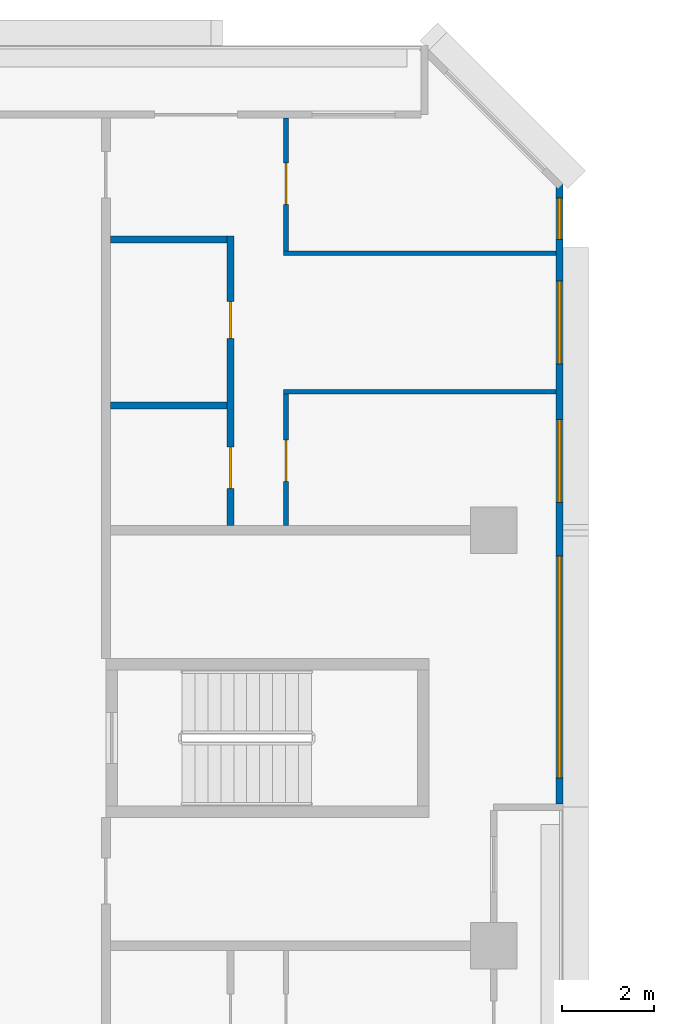
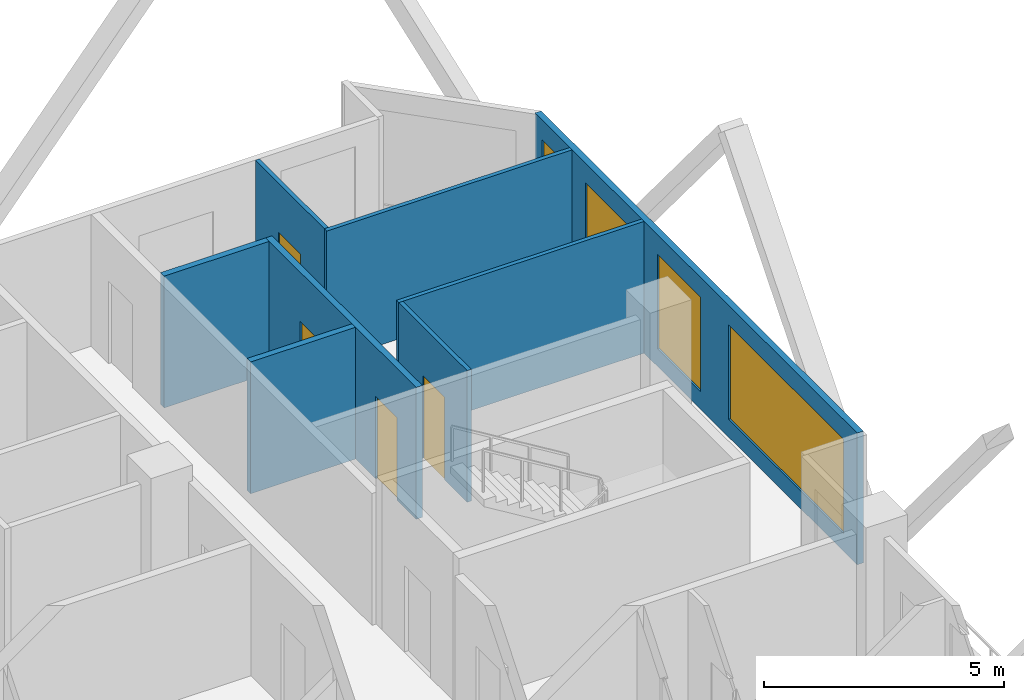
# One storey, part 11 of 15: 8 walls, 4 doors, 4 windows, 8 openings.
"""IFC4 building model written with IfcOpenShell, lengths in metres."""

from ifc_helpers import new_model, si_unit, direction, frame, frame_2d, origin, place, context, subcontext, project, spatial, rectangle, extrude, material, layer, layer_set, type_object, element, fill, save


model = new_model("IFC4")

# Units and contexts
model_context = context("Model", 3, precision=1e-05, world=origin(), true_north=direction((0.0, 1.0)))
body_context = subcontext(model_context, "Body", "Model", "MODEL_VIEW")
ifc_project = project(units=[si_unit("LENGTHUNIT", "METRE"), si_unit("AREAUNIT", "SQUARE_METRE"), si_unit("VOLUMEUNIT", "CUBIC_METRE"), si_unit("PLANEANGLEUNIT", "RADIAN"), si_unit("MASSUNIT", "GRAM", prefix="KILO")], contexts=[model_context])

# Site, building, storey
site_placement = place(None, origin())
site = spatial("IfcSite", under=ifc_project, at=site_placement, CompositionType="ELEMENT")
building_placement = place(site_placement, origin())
building = spatial("IfcBuilding", under=site, at=building_placement, Name="Chenar Terraces", CompositionType="ELEMENT")
storey_placement = place(building_placement, frame((0.0, 0.0, 114.39990234375)))
storey = spatial("IfcBuildingStorey", under=building, at=storey_placement, Name="L26", CompositionType="ELEMENT", Elevation=114.39990234375)

# Wall, openings, windows
ifc_material_1 = material(Name="Aluminium framed glazing", Category="aluminium")
ifc_layer_1 = layer(ifc_material_1, 0.14990234375)
ifc_layer_set_1 = layer_set([ifc_layer_1], Name="Aluminium framed glazing")
wall_type_1 = type_object("IfcWallType", Name="Glazed flush facade wall 150", PredefinedType="SOLIDWALL", material=ifc_layer_set_1)
wall_1_placement = place(storey_placement, frame((25.425048828125, 48.074951171875, 0.0), z_axis=(0.0, 0.0, 1.0), x_axis=(0.0, 1.0, 0.0)))
wall_1 = element("IfcWall", 1, at=wall_1_placement, inside=storey, type_object=wall_type_1, Name="Glazed flush facade wall", PredefinedType="SOLIDWALL", context=body_context, shape_type="SweptSolid", body=[
    extrude(rectangle(XDim=13.425048828125, YDim=0.14990234375, at=frame_2d((6.71240234375, 0.0))), origin(), (0.0, 0.0, 1.0), 3.35009765625),
])
opening_1_placement = place(wall_1_placement, frame((0.5625, 0.0, 0.449951171875)))
opening_1 = element("IfcOpeningElement", 2, at=opening_1_placement, cuts=wall_1, Name="Opening W480x240", PredefinedType="OPENING", context=body_context, shape_type="SweptSolid", body=[
    extrude(rectangle(XDim=4.800048828125, YDim=2.39990234375, at=frame_2d((2.39990234375, 1.199951171875))), frame((0.0, 0.0849609375, 0.0), z_axis=(0.0, -1.0, 0.0), x_axis=(1.0, 0.0, 0.0)), (0.0, 0.0, 1.0), 0.169921875),
])
opening_2_placement = place(wall_1_placement, frame((6.52490234375, 0.0, 0.449951171875)))
opening_2 = element("IfcOpeningElement", 3, at=opening_2_placement, cuts=wall_1, Name="Opening W180x240", PredefinedType="OPENING", context=body_context, shape_type="SweptSolid", body=[
    extrude(rectangle(XDim=1.800048828125, YDim=2.39990234375, at=frame_2d((0.89990234375, 1.199951171875))), frame((0.0, 0.0849609375, 0.0), z_axis=(0.0, -1.0, 0.0), x_axis=(1.0, 0.0, 0.0)), (0.0, 0.0, 1.0), 0.169921875),
])
opening_3_placement = place(wall_1_placement, frame((9.52490234375, 0.0, 0.449951171875)))
opening_3 = element("IfcOpeningElement", 4, at=opening_3_placement, cuts=wall_1, Name="Opening W180x240", PredefinedType="OPENING", context=body_context, shape_type="SweptSolid", body=[
    extrude(rectangle(XDim=1.800048828125, YDim=2.39990234375, at=frame_2d((0.89990234375, 1.199951171875))), frame((0.0, 0.0849609375, 0.0), z_axis=(0.0, -1.0, 0.0), x_axis=(1.0, 0.0, 0.0)), (0.0, 0.0, 1.0), 0.169921875),
])
opening_4_placement = place(wall_1_placement, frame((12.22509765625, 0.0, 0.449951171875)))
opening_4 = element("IfcOpeningElement", 5, at=opening_4_placement, cuts=wall_1, Name="Opening W90x240", PredefinedType="OPENING", context=body_context, shape_type="SweptSolid", body=[
    extrude(rectangle(XDim=0.89990234375, YDim=2.39990234375, at=frame_2d((0.449951171875, 1.199951171875))), frame((0.0, 0.0849609375, 0.0), z_axis=(0.0, -1.0, 0.0), x_axis=(1.0, 0.0, 0.0)), (0.0, 0.0, 1.0), 0.169921875),
])
ifc_material_2 = material(Name="Low emissivity double glazing, aluminium frame", Category="aluminium")
window_type_1 = type_object("IfcWindowType", Name="Fixed light 1800 x 2400", PartitioningType="SINGLE_PANEL", PredefinedType="WINDOW", material=ifc_material_2)
window_1_placement = place(opening_2_placement, origin())
window_1 = element("IfcWindow", 6, at=window_1_placement, inside=storey, type_object=window_type_1, Name="Window", OverallHeight=2.39990234375, OverallWidth=1.800048828125, PartitioningType="SINGLE_PANEL", PredefinedType="WINDOW", context=body_context, shape_type="SweptSolid", body=[
    extrude(rectangle(XDim=1.800048828125, YDim=2.39990234375, at=frame_2d((0.89990234375, 1.199951171875))), frame((0.0, 0.030029296875, 0.0), z_axis=(0.0, -1.0, 0.0), x_axis=(1.0, 0.0, 0.0)), (0.0, 0.0, 1.0), 0.06005859375),
])
fill(opening_2, window_1)
window_2_placement = place(opening_3_placement, origin())
window_2 = element("IfcWindow", 7, at=window_2_placement, inside=storey, type_object=window_type_1, Name="Window", OverallHeight=2.39990234375, OverallWidth=1.800048828125, PartitioningType="SINGLE_PANEL", PredefinedType="WINDOW", context=body_context, shape_type="SweptSolid", body=[
    extrude(rectangle(XDim=1.800048828125, YDim=2.39990234375, at=frame_2d((0.89990234375, 1.199951171875))), frame((0.0, 0.030029296875, 0.0), z_axis=(0.0, -1.0, 0.0), x_axis=(1.0, 0.0, 0.0)), (0.0, 0.0, 1.0), 0.06005859375),
])
fill(opening_3, window_2)
ifc_material_3 = material(Name="Low emissivity double glazing, aluminium frame", Category="aluminium")
window_type_2 = type_object("IfcWindowType", Name="Fixed light 4800 x 2400", PartitioningType="SINGLE_PANEL", PredefinedType="WINDOW", material=ifc_material_3)
window_3_placement = place(opening_1_placement, origin())
window_3 = element("IfcWindow", 8, at=window_3_placement, inside=storey, type_object=window_type_2, Name="Window", OverallHeight=2.39990234375, OverallWidth=4.800048828125, PartitioningType="SINGLE_PANEL", PredefinedType="WINDOW", context=body_context, shape_type="SweptSolid", body=[
    extrude(rectangle(XDim=4.800048828125, YDim=2.39990234375, at=frame_2d((2.39990234375, 1.199951171875))), frame((0.0, 0.030029296875, 0.0), z_axis=(0.0, -1.0, 0.0), x_axis=(1.0, 0.0, 0.0)), (0.0, 0.0, 1.0), 0.06005859375),
])
fill(opening_1, window_3)
ifc_material_4 = material(Name="Low emissivity double glazing, aluminium frame", Category="aluminium")
window_type_3 = type_object("IfcWindowType", Name="Fixed light 900 x 2400", PartitioningType="SINGLE_PANEL", PredefinedType="WINDOW", material=ifc_material_4)
window_4_placement = place(opening_4_placement, origin())
window_4 = element("IfcWindow", 9, at=window_4_placement, inside=storey, type_object=window_type_3, Name="Window", OverallHeight=2.39990234375, OverallWidth=0.89990234375, PartitioningType="SINGLE_PANEL", PredefinedType="WINDOW", context=body_context, shape_type="SweptSolid", body=[
    extrude(rectangle(XDim=0.89990234375, YDim=2.39990234375, at=frame_2d((0.449951171875, 1.199951171875))), frame((0.0, 0.030029296875, 0.0), z_axis=(0.0, -1.0, 0.0), x_axis=(1.0, 0.0, 0.0)), (0.0, 0.0, 1.0), 0.06005859375),
])
fill(opening_4, window_4)

# Walls
ifc_material_5 = material(Name="Gypsum board on steel studs", Category="steel")
ifc_layer_2 = layer(ifc_material_5, 0.10009765625)
ifc_layer_set_2 = layer_set([ifc_layer_2], Name="Gypsum board on steel studs")
wall_type_2 = type_object("IfcWallType", Name="Gypsum partition 100", PredefinedType="PARTITIONING", material=ifc_layer_set_2)
for number, where, z_axis, x_axis, name in (
    (10, (19.449951171875, 57.0, 0.0), (0.0, 0.0, 1.0), (1.0, 0.0, 0.0), "Partition L26-048"),
    (11, (19.449951171875, 60.0, 0.0), (0.0, 0.0, 1.0), (1.0, 0.0, 0.0), "Partition L26-049"),
):
    element("IfcWall", number, at=place(storey_placement, frame(where, z_axis=z_axis, x_axis=x_axis)), inside=storey, type_object=wall_type_2, Name=name, PredefinedType="PARTITIONING", context=body_context, shape_type="SweptSolid", body=[
        extrude(rectangle(XDim=5.900146484375, YDim=0.10009765625, at=frame_2d((2.9501953125, 0.0))), origin(), (0.0, 0.0, 1.0), 3.35009765625),
    ])

# Wall, opening, door
wall_2_placement = place(storey_placement, frame((19.5, 54.10009765625, 0.0), z_axis=(0.0, 0.0, 1.0), x_axis=(0.0, 1.0, 0.0)))
wall_2 = element("IfcWall", 12, at=wall_2_placement, inside=storey, type_object=wall_type_2, Name="Partition L26-051", PredefinedType="PARTITIONING", context=body_context, shape_type="SweptSolid", body=[
    extrude(rectangle(XDim=2.849853515625, YDim=0.10009765625, at=frame_2d((1.4248046875, 0.0))), origin(), (0.0, 0.0, 1.0), 3.35009765625),
])
opening_5_placement = place(wall_2_placement, frame((0.949951171875, 0.0, 0.0)))
opening_5 = element("IfcOpeningElement", 13, at=opening_5_placement, cuts=wall_2, Name="Opening DL26-35", PredefinedType="OPENING", context=body_context, shape_type="SweptSolid", body=[
    extrude(rectangle(XDim=0.89990234375, YDim=2.10009765625, at=frame_2d((0.449951171875, 1.050048828125))), frame((0.0, 0.06005859375, 0.0), z_axis=(0.0, -1.0, 0.0), x_axis=(1.0, 0.0, 0.0)), (0.0, 0.0, 1.0), 0.1201171875),
])
ifc_material_6 = material(Name="Veneered timber door leaf", Category="wood")
door_type_1 = type_object("IfcDoorType", Name="Door 900 x 2100", OperationType="SINGLE_SWING_LEFT", PredefinedType="DOOR", material=ifc_material_6)
door_1_placement = place(opening_5_placement, frame((0.89990234375, 0.0, 0.0), z_axis=(0.0, 0.0, 1.0), x_axis=(-1.0, 0.0, 0.0)))
door_1 = element("IfcDoor", 14, at=door_1_placement, inside=storey, type_object=door_type_1, Name="Door DL26-35", OperationType="SINGLE_SWING_LEFT", OverallHeight=2.10009765625, OverallWidth=0.89990234375, PredefinedType="DOOR", context=body_context, shape_type="SweptSolid", body=[
    extrude(rectangle(XDim=0.89990234375, YDim=2.10009765625, at=frame_2d((0.449951171875, 1.050048828125))), frame((0.0, 0.02490234375, 0.0), z_axis=(0.0, -1.0, 0.0), x_axis=(1.0, 0.0, 0.0)), (0.0, 0.0, 1.0), 0.050048828125),
])
fill(opening_5, door_1)

wall_3_placement = place(storey_placement, frame((19.5, 60.050048828125, 0.0), z_axis=(0.0, 0.0, 1.0), x_axis=(0.0, 1.0, 0.0)))
wall_3 = element("IfcWall", 15, at=wall_3_placement, inside=storey, type_object=wall_type_2, Name="Partition L26-052", PredefinedType="PARTITIONING", context=body_context, shape_type="SweptSolid", body=[
    extrude(rectangle(XDim=2.8759765625, YDim=0.10009765625, at=frame_2d((1.43798828125, 0.0))), origin(), (0.0, 0.0, 1.0), 3.35009765625),
])
opening_6_placement = place(wall_3_placement, frame((1.0, 0.0, 0.0)))
opening_6 = element("IfcOpeningElement", 16, at=opening_6_placement, cuts=wall_3, Name="Opening DL26-36", PredefinedType="OPENING", context=body_context, shape_type="SweptSolid", body=[
    extrude(rectangle(XDim=0.89990234375, YDim=2.10009765625, at=frame_2d((0.449951171875, 1.050048828125))), frame((0.0, 0.06005859375, 0.0), z_axis=(0.0, -1.0, 0.0), x_axis=(1.0, 0.0, 0.0)), (0.0, 0.0, 1.0), 0.1201171875),
])
door_2_placement = place(opening_6_placement, frame((0.89990234375, 0.0, 0.0), z_axis=(0.0, 0.0, 1.0), x_axis=(-1.0, 0.0, 0.0)))
door_2 = element("IfcDoor", 17, at=door_2_placement, inside=storey, type_object=door_type_1, Name="Door DL26-36", OperationType="SINGLE_SWING_LEFT", OverallHeight=2.10009765625, OverallWidth=0.89990234375, PredefinedType="DOOR", context=body_context, shape_type="SweptSolid", body=[
    extrude(rectangle(XDim=0.89990234375, YDim=2.10009765625, at=frame_2d((0.449951171875, 1.050048828125))), frame((0.0, 0.02490234375, 0.0), z_axis=(0.0, -1.0, 0.0), x_axis=(1.0, 0.0, 0.0)), (0.0, 0.0, 1.0), 0.050048828125),
])
fill(opening_6, door_2)

# Walls
ifc_material_7 = material(Name="Moisture-resistant gypsum board on steel studs", Category="steel")
ifc_layer_3 = layer(ifc_material_7, 0.14990234375)
ifc_layer_set_3 = layer_set([ifc_layer_3], Name="Moisture-resistant gypsum board on steel studs")
wall_type_3 = type_object("IfcWallType", Name="Wet-room partition 150", PredefinedType="PARTITIONING", material=ifc_layer_set_3)
for number, where, z_axis, x_axis, name in (
    (18, (15.699951171875, 56.699951171875, 0.0), (0.0, 0.0, 1.0), (1.0, 0.0, 0.0), "Partition L26-043"),
    (19, (15.699951171875, 60.300048828125, 0.0), (0.0, 0.0, 1.0), (1.0, 0.0, 0.0), "Partition L26-044"),
):
    element("IfcWall", number, at=place(storey_placement, frame(where, z_axis=z_axis, x_axis=x_axis)), inside=storey, type_object=wall_type_3, Name=name, PredefinedType="PARTITIONING", context=body_context, shape_type="SweptSolid", body=[
        extrude(rectangle(XDim=2.525146484375, YDim=0.14990234375, at=frame_2d((1.2626953125, 0.0))), origin(), (0.0, 0.0, 1.0), 3.35009765625),
    ])

# Wall, openings, doors
wall_4_placement = place(storey_placement, frame((18.300048828125, 54.10009765625, 0.0), z_axis=(0.0, 0.0, 1.0), x_axis=(0.0, 1.0, 0.0)))
wall_4 = element("IfcWall", 20, at=wall_4_placement, inside=storey, type_object=wall_type_3, Name="Partition L26-047", PredefinedType="PARTITIONING", context=body_context, shape_type="SweptSolid", body=[
    extrude(rectangle(XDim=6.27490234375, YDim=0.14990234375, at=frame_2d((3.137451171875, 0.0))), origin(), (0.0, 0.0, 1.0), 3.35009765625),
])
opening_7_placement = place(wall_4_placement, frame((4.050048828125, 0.0, 0.0)))
opening_7 = element("IfcOpeningElement", 21, at=opening_7_placement, cuts=wall_4, Name="Opening DL26-34", PredefinedType="OPENING", context=body_context, shape_type="SweptSolid", body=[
    extrude(rectangle(XDim=0.800048828125, YDim=2.10009765625, at=frame_2d((0.39990234375, 1.050048828125))), frame((0.0, 0.0849609375, 0.0), z_axis=(0.0, -1.0, 0.0), x_axis=(1.0, 0.0, 0.0)), (0.0, 0.0, 1.0), 0.169921875),
])
opening_8_placement = place(wall_4_placement, frame((0.800048828125, 0.0, 0.0)))
opening_8 = element("IfcOpeningElement", 22, at=opening_8_placement, cuts=wall_4, Name="Opening DL26-37", PredefinedType="OPENING", context=body_context, shape_type="SweptSolid", body=[
    extrude(rectangle(XDim=0.89990234375, YDim=2.10009765625, at=frame_2d((0.449951171875, 1.050048828125))), frame((0.0, 0.0849609375, 0.0), z_axis=(0.0, -1.0, 0.0), x_axis=(1.0, 0.0, 0.0)), (0.0, 0.0, 1.0), 0.169921875),
])
ifc_material_8 = material(Name="Veneered timber door leaf", Category="wood")
door_type_2 = type_object("IfcDoorType", Name="Door 800 x 2100", OperationType="SINGLE_SWING_LEFT", PredefinedType="DOOR", material=ifc_material_8)
door_3_placement = place(opening_7_placement, origin())
door_3 = element("IfcDoor", 23, at=door_3_placement, inside=storey, type_object=door_type_2, Name="Door DL26-34", OperationType="SINGLE_SWING_RIGHT", OverallHeight=2.10009765625, OverallWidth=0.800048828125, PredefinedType="DOOR", context=body_context, shape_type="SweptSolid", body=[
    extrude(rectangle(XDim=0.800048828125, YDim=2.10009765625, at=frame_2d((0.39990234375, 1.050048828125))), frame((0.0, 0.02490234375, 0.0), z_axis=(0.0, -1.0, 0.0), x_axis=(1.0, 0.0, 0.0)), (0.0, 0.0, 1.0), 0.050048828125),
])
fill(opening_7, door_3)
door_4_placement = place(opening_8_placement, origin())
door_4 = element("IfcDoor", 24, at=door_4_placement, inside=storey, type_object=door_type_1, Name="Door DL26-37", OperationType="SINGLE_SWING_RIGHT", OverallHeight=2.10009765625, OverallWidth=0.89990234375, PredefinedType="DOOR", context=body_context, shape_type="SweptSolid", body=[
    extrude(rectangle(XDim=0.89990234375, YDim=2.10009765625, at=frame_2d((0.449951171875, 1.050048828125))), frame((0.0, 0.02490234375, 0.0), z_axis=(0.0, -1.0, 0.0), x_axis=(1.0, 0.0, 0.0)), (0.0, 0.0, 1.0), 0.050048828125),
])
fill(opening_8, door_4)

save(model, "model.ifc")
